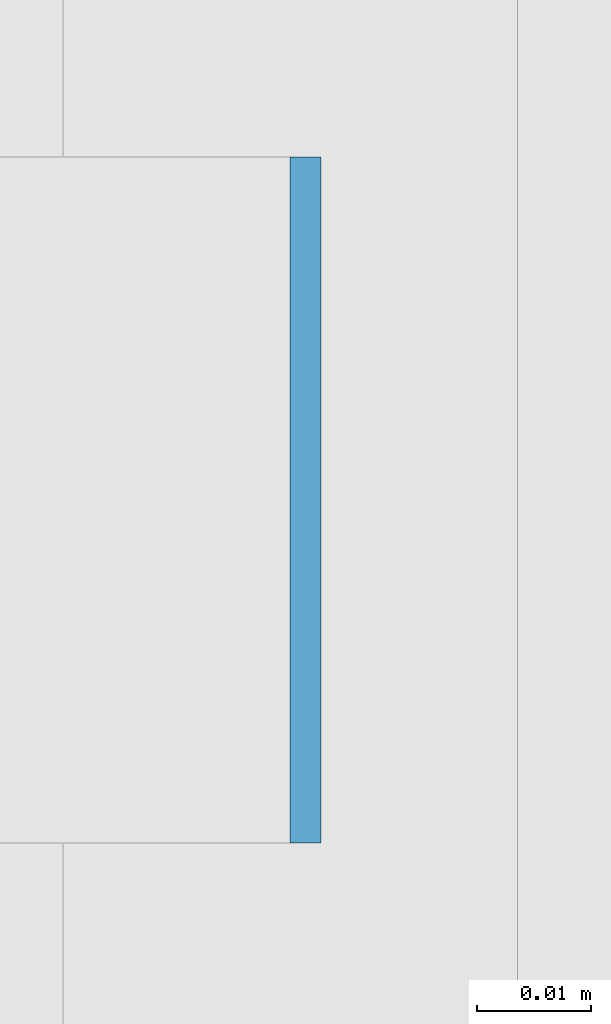
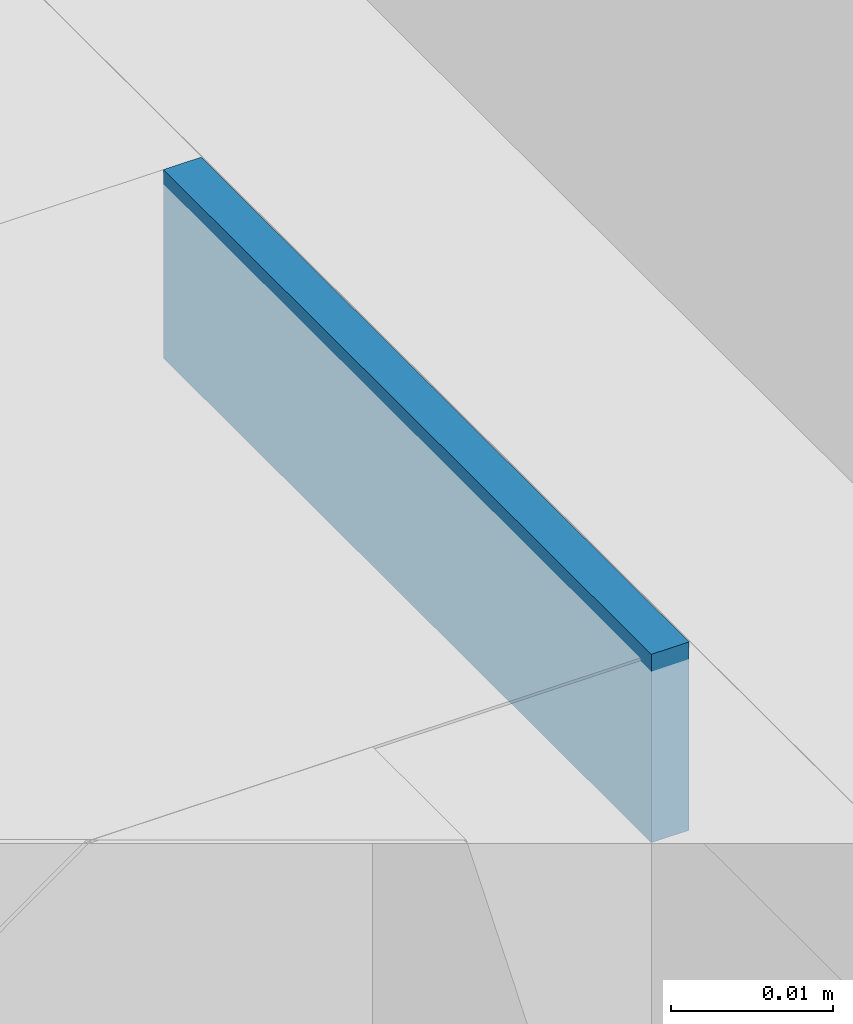
# One storey, part 405 of 646: 1 discrete accessory.
"""IFC4 building model written with IfcOpenShell, lengths in metres."""

from ifc_helpers import new_model, si_unit, direction, frame, origin, origin_2d, place, context, subcontext, project, spatial, rectangle, extrude, material, type_object, element, save


model = new_model("IFC4")

# Units and contexts
model_context = context("Model", 3, precision=1e-05, world=origin(), true_north=direction((0.0, 1.0)))
body_context = subcontext(model_context, "Body", "Model", "MODEL_VIEW")
ifc_project = project(units=[si_unit("LENGTHUNIT", "METRE"), si_unit("AREAUNIT", "SQUARE_METRE"), si_unit("VOLUMEUNIT", "CUBIC_METRE"), si_unit("PLANEANGLEUNIT", "RADIAN"), si_unit("MASSUNIT", "GRAM", prefix="KILO")], contexts=[model_context])

# Site, building, storey
site_placement = place(None, origin())
site = spatial("IfcSite", under=ifc_project, at=site_placement, CompositionType="ELEMENT")
building_placement = place(site_placement, origin())
building = spatial("IfcBuilding", under=site, at=building_placement, Name="Silverbay Arena", CompositionType="ELEMENT")
storey_placement = place(building_placement, frame((0.0, 0.0, 33.5)))
storey = spatial("IfcBuildingStorey", under=building, at=storey_placement, Name="L05", CompositionType="ELEMENT", Elevation=33.5)

# Discrete accessory
ifc_material = material(Name="Steel S355", Category="steel")
discrete_accessory_type = type_object("IfcDiscreteAccessoryType", Name="Steel bracket plate", PredefinedType="BRACKET", material=ifc_material)
discrete_accessory_placement = place(storey_placement, frame((53.871337890625, 122.142822265625, 12.98583984375), z_axis=(0.0, 0.0, 1.0), x_axis=(1.0, 0.0, 0.0)))
element("IfcDiscreteAccessory", 1, at=discrete_accessory_placement, inside=storey, type_object=discrete_accessory_type, Name="Curtain wall packing plate", PredefinedType="BRACKET", context=body_context, shape_type="SweptSolid", body=[
    extrude(rectangle(XDim=0.002685546875, YDim=0.06005859375, at=origin_2d()), origin(), (0.0, 0.0, 1.0), 0.01416015625),
])

save(model, "model.ifc")
